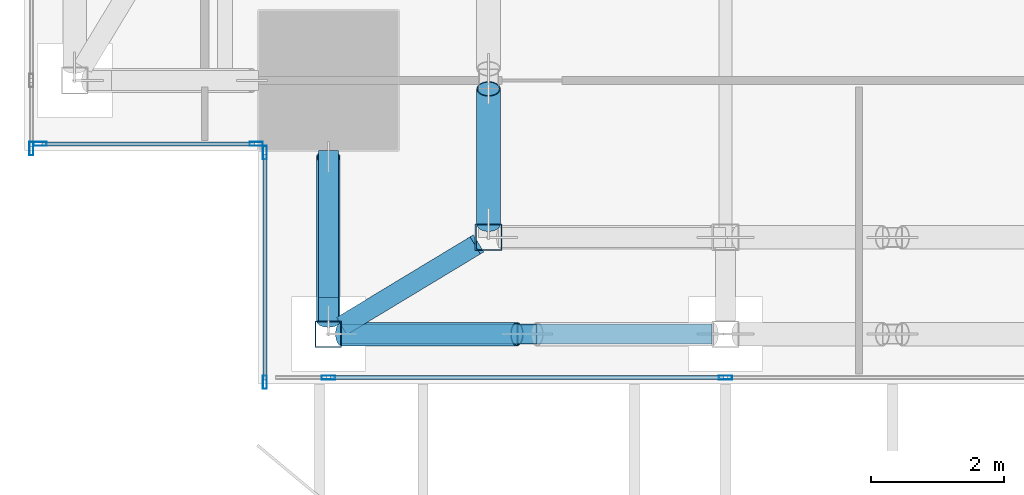
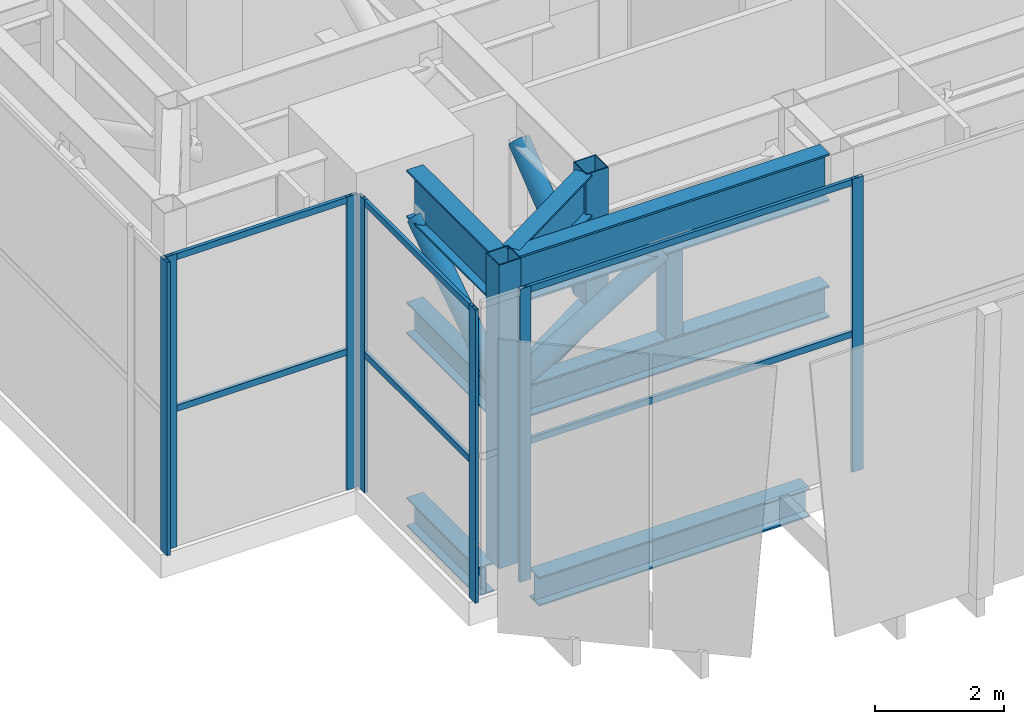
# One storey, part 2 of 47: 23 members, 4 beams, 4 elements without a shape of their own.
"""IFC4 building model written with IfcOpenShell, lengths in metres."""

import ifcopenshell
import ifcopenshell.guid

model = None  # the IFC model being written
_history = None  # IfcOwnerHistory: only IFC2X3 demands one
_inside = {}  # id of a spatial element -> (the spatial element, [elements in it])
_under = {}  # id of a project, library or spatial element -> (it, [spatial elements below it])
_declared = {}  # id of a project -> (the project, [libraries it declares])
_typed = {}  # id of a type object -> (the type object, [elements of that type])
_made_of = {}  # id of a material, layer set ... -> (it, [elements and type objects made of it])


def new_model(schema):
    """Start an empty IFC model of exactly this schema.

    Asked for "IFC4X3", IfcOpenShell would pick the latest addendum, in which some entities
    have other attributes; the version numbers below select the first issue.
    IFC2X3 requires an IfcOwnerHistory on every rooted entity: one is made here for all.
    """
    global model, _history
    if schema == "IFC4X3":
        model = ifcopenshell.file(schema_version=(4, 3, 0, 0))
    else:
        model = ifcopenshell.file(schema=schema)
    _inside.clear()
    _under.clear()
    _declared.clear()
    _typed.clear()
    _made_of.clear()
    _history = None
    if model.schema == "IFC2X3":
        org = make("IfcOrganization", Name="unknown")
        user = make(
            "IfcPersonAndOrganization",
            ThePerson=make("IfcPerson", FamilyName="unknown"),
            TheOrganization=org,
        )
        app = make(
            "IfcApplication",
            ApplicationDeveloper=org,
            Version="unknown",
            ApplicationFullName="unknown",
            ApplicationIdentifier="unknown",
        )
        _history = make(
            "IfcOwnerHistory",
            OwningUser=user,
            OwningApplication=app,
            ChangeAction="ADDED",
            CreationDate=0,
        )
    return model


def make(cls, **values):
    """One entity of the class cls with the attributes given. An attribute that is None is left unset."""
    return model.create_entity(
        cls, **{name: value for name, value in values.items() if value is not None}
    )


def rooted(cls, **values):
    """An entity with a GlobalId (a new one), such as an element, a storey or a relation."""
    return make(cls, GlobalId=ifcopenshell.guid.new(), OwnerHistory=_history, **values)


def si_unit(unit_type, name, prefix=None):
    """IfcSIUnit, for example si_unit("LENGTHUNIT", "METRE", prefix="MILLI")."""
    return make("IfcSIUnit", UnitType=unit_type, Prefix=prefix, Name=name)


def assignment(units):
    """IfcUnitAssignment: the units of a project."""
    return None if units is None else make("IfcUnitAssignment", Units=units)


def point(xyz):
    """IfcCartesianPoint."""
    return None if xyz is None else make("IfcCartesianPoint", Coordinates=xyz)


def direction(xyz):
    """IfcDirection."""
    return None if xyz is None else make("IfcDirection", DirectionRatios=xyz)


def frame(location, z_axis=None, x_axis=None):
    """IfcAxis2Placement3D, a coordinate frame: its origin and axes. An axis left out is left unset."""
    return make(
        "IfcAxis2Placement3D",
        Location=point(location),
        Axis=direction(z_axis),
        RefDirection=direction(x_axis),
    )


def frame_2d(location, x_axis=None):
    """IfcAxis2Placement2D, a coordinate frame in the plane: its origin and x axis."""
    return make(
        "IfcAxis2Placement2D", Location=point(location), RefDirection=direction(x_axis)
    )


def origin():
    """The frame at (0, 0, 0) with its axes left unset."""
    return frame((0.0, 0.0, 0.0))


def origin_2d():
    """The frame at (0, 0) in the plane with its x axis left unset."""
    return frame_2d((0.0, 0.0))


def place(relative_to, where):
    """IfcLocalPlacement: puts the frame where relative to a parent placement (None: the world)."""
    return make(
        "IfcLocalPlacement", PlacementRelTo=relative_to, RelativePlacement=where
    )


def context(
    kind, dimensions, precision=None, world=None, true_north=None, identifier=None
):
    """IfcGeometricRepresentationContext, for example the 3D "Model" context."""
    return make(
        "IfcGeometricRepresentationContext",
        ContextIdentifier=identifier,
        ContextType=kind,
        CoordinateSpaceDimension=dimensions,
        Precision=precision,
        WorldCoordinateSystem=world,
        TrueNorth=true_north,
    )


def subcontext(parent, identifier, kind, view, scale=None):
    """IfcGeometricRepresentationSubContext, for example "Body" below "Model"."""
    return make(
        "IfcGeometricRepresentationSubContext",
        ContextIdentifier=identifier,
        ContextType=kind,
        ParentContext=parent,
        TargetScale=scale,
        TargetView=view,
    )


def project(units=None, contexts=None):
    """IfcProject with its units and contexts."""
    return rooted(
        "IfcProject",
        Name="project",
        RepresentationContexts=contexts,
        UnitsInContext=assignment(units),
    )


def spatial(cls, under=None, at=None, **own):
    """A site, building, storey or space (cls), placed at a placement, below another one or the project."""
    s = rooted(cls, ObjectPlacement=at, **own)
    if under is not None:
        _under.setdefault(under.id(), (under, []))[1].append(s)
    return s


def profile(cls, at=None, kind="AREA", **sizes):
    """A parametric profile (cls). Its sizes go by their IFC names, for example OverallWidth=200.0."""
    return make(cls, ProfileType=kind, Position=at, **sizes)


def hollow_rectangle(**sizes):
    """IfcRectangleHollowProfileDef."""
    return profile("IfcRectangleHollowProfileDef", **sizes)


def hollow_circle(**sizes):
    """IfcCircleHollowProfileDef."""
    return profile("IfcCircleHollowProfileDef", **sizes)


def i_section(**sizes):
    """IfcIShapeProfileDef."""
    return profile("IfcIShapeProfileDef", **sizes)


def extrude(swept, where, along, depth):
    """IfcExtrudedAreaSolid: the profile swept, set in the frame where, extruded along a direction by depth."""
    return make(
        "IfcExtrudedAreaSolid",
        SweptArea=swept,
        Position=where,
        ExtrudedDirection=direction(along),
        Depth=depth,
    )


def shape(context_of_items, identifier, shape_type, items):
    """IfcShapeRepresentation: the items that make up one representation, for example the "Body"."""
    return make(
        "IfcShapeRepresentation",
        ContextOfItems=context_of_items,
        RepresentationIdentifier=identifier,
        RepresentationType=shape_type,
        Items=items,
    )


def source(mapping_origin, context_of_items, identifier, shape_type, items):
    """IfcRepresentationMap: a shape defined once, which mapped items show again and again."""
    return make(
        "IfcRepresentationMap",
        MappingOrigin=mapping_origin,
        MappedRepresentation=shape(context_of_items, identifier, shape_type, items),
    )


def transform(
    local_origin,
    x_axis=None,
    y_axis=None,
    z_axis=None,
    scale=None,
    scale2=None,
    scale3=None,
    uniform=True,
):
    """IfcCartesianTransformationOperator3D, or its non-uniform kind. x_axis, y_axis, z_axis: its Axis1, 2, 3."""
    if uniform:
        return make(
            "IfcCartesianTransformationOperator3D",
            Axis1=direction(x_axis),
            Axis2=direction(y_axis),
            LocalOrigin=point(local_origin),
            Scale=scale,
            Axis3=direction(z_axis),
        )
    return make(
        "IfcCartesianTransformationOperator3DnonUniform",
        Axis1=direction(x_axis),
        Axis2=direction(y_axis),
        LocalOrigin=point(local_origin),
        Scale=scale,
        Axis3=direction(z_axis),
        Scale2=scale2,
        Scale3=scale3,
    )


def mapped(mapping_source, mapping_target):
    """IfcMappedItem: shows the shape of a source again, moved by a transform."""
    return make(
        "IfcMappedItem", MappingSource=mapping_source, MappingTarget=mapping_target
    )


def material(Name=None, Category=None):
    """IfcMaterial."""
    return make("IfcMaterial", Name=Name, Category=Category)


def material_profile(
    of_material, cross_section, Name=None, Category=None, Priority=None
):
    """IfcMaterialProfile: a cross section and its material."""
    return make(
        "IfcMaterialProfile",
        Name=Name,
        Material=of_material,
        Profile=cross_section,
        Priority=Priority,
        Category=Category,
    )


def profile_set(profiles, Name=None, composite=None):
    """IfcMaterialProfileSet."""
    return make(
        "IfcMaterialProfileSet",
        Name=Name,
        MaterialProfiles=profiles,
        CompositeProfile=composite,
    )


def made_of(thing, what):
    """Note that an element or type object is made of a material, layer set ...; save() writes the relation."""
    if what is not None:
        _made_of.setdefault(what.id(), (what, []))[1].append(thing)
    return thing


def type_object(cls, material=None, **own):
    """A type object (cls), such as IfcWallType, which elements share."""
    return made_of(rooted(cls, **own), material)


def element(
    cls,
    number,
    at=None,
    inside=None,
    cuts=None,
    type_object=None,
    material=None,
    context=None,
    identifier="Body",
    shape_type=None,
    held_by="IfcProductDefinitionShape",
    body=None,
    shapes=None,
    **own,
):
    """One element of the class cls, such as IfcWall. Its Tag is "e" and its number.

    at: its placement. inside: the storey or other place that contains it. cuts: it is an
    opening in that element (IfcRelVoidsElement). A single representation is given by context,
    identifier, shape_type and body (its items); several are given by shapes. held_by: the class
    of the entity that holds the representations. save() writes the other relations.
    """
    e = rooted(cls, Tag="e%d" % number, ObjectPlacement=at, **own)
    if body is not None:
        shapes = [shape(context, identifier, shape_type, body)]
    if shapes is not None:
        e.Representation = make(held_by, Representations=shapes)
    if inside is not None:
        _inside.setdefault(inside.id(), (inside, []))[1].append(e)
    if cuts is not None:
        rooted(
            "IfcRelVoidsElement", RelatingBuildingElement=cuts, RelatedOpeningElement=e
        )
    if type_object is not None:
        _typed.setdefault(type_object.id(), (type_object, []))[1].append(e)
    return made_of(e, material)


def aggregate(whole, parts):
    """IfcRelAggregates: a whole, such as a stair, and the parts it consists of."""
    return rooted("IfcRelAggregates", RelatingObject=whole, RelatedObjects=parts)


def save(model, path):
    """Write the relations noted so far, then the file.

    IfcRelAggregates (storeys below a building ...), IfcRelContainedInSpatialStructure (elements
    in a storey), IfcRelDefinesByType, IfcRelAssociatesMaterial and IfcRelDeclares: one each for
    every whole, place, type object, material and project.
    """
    for whole, parts in _under.values():
        aggregate(whole, parts)
    for where, things in _inside.values():
        rooted(
            "IfcRelContainedInSpatialStructure",
            RelatedElements=things,
            RelatingStructure=where,
        )
    for kind, things in _typed.values():
        rooted("IfcRelDefinesByType", RelatedObjects=things, RelatingType=kind)
    for what, things in _made_of.values():
        rooted("IfcRelAssociatesMaterial", RelatedObjects=things, RelatingMaterial=what)
    for by, libraries in _declared.values():
        rooted("IfcRelDeclares", RelatingContext=by, RelatedDefinitions=libraries)
    model.write(path)


model = new_model("IFC4")

# Units and contexts
model_context = context("Model", 3, precision=1e-05, world=origin(), true_north=direction((0.0, 1.0)))
body_context = subcontext(model_context, "Body", "Model", "MODEL_VIEW")
ifc_project = project(units=[si_unit("LENGTHUNIT", "METRE"), si_unit("AREAUNIT", "SQUARE_METRE"), si_unit("VOLUMEUNIT", "CUBIC_METRE"), si_unit("PLANEANGLEUNIT", "RADIAN"), si_unit("MASSUNIT", "GRAM", prefix="KILO")], contexts=[model_context])

# Site, building, storey
site_placement = place(None, origin())
site = spatial("IfcSite", under=ifc_project, at=site_placement, CompositionType="ELEMENT")
building_placement = place(site_placement, origin())
building = spatial("IfcBuilding", under=site, at=building_placement, Name="Khomas Fold Tower", CompositionType="ELEMENT")
storey_placement = place(building_placement, frame((0.0, 0.0, 158.699951171875)))
storey = spatial("IfcBuildingStorey", under=building, at=storey_placement, Name="L34", CompositionType="ELEMENT", Elevation=158.699951171875)

# Beams
ifc_material_1 = material(Name="Steel S355", Category="steel")
ifc_material_profile_1 = material_profile(ifc_material_1, i_section(OverallWidth=0.300048828125, OverallDepth=0.550048828125, WebThickness=0.014892578125, FlangeThickness=0.029052734375, at=origin_2d()), Name="HE 550 B")
ifc_profile_set_1 = profile_set([ifc_material_profile_1], Name="Steel S355")
beam_type_1 = type_object("IfcBeamType", Name="HE 550 B spandrel SB2", PredefinedType="SPANDREL", material=ifc_profile_set_1)
shared_shape_1 = source(origin(), body_context, "Body", "SweptSolid", [
    extrude(i_section(OverallWidth=0.300048828125, OverallDepth=0.550048828125, WebThickness=0.014892578125, FlangeThickness=0.029052734375, at=origin_2d()), origin(), (0.0, 0.0, 1.0), 4.849853515625),
])
beam_1_placement = place(storey_placement, frame((6.60009765625, 2.25, -0.724853515625), z_axis=(1.0, 0.0, 0.0), x_axis=(0.0, 1.0, 0.0)))
element("IfcBeam", 1, at=beam_1_placement, inside=storey, type_object=beam_type_1, Name="SB2", PredefinedType="SPANDREL", context=body_context, shape_type="MappedRepresentation", body=[
    mapped(shared_shape_1, transform((0.0, 0.0, 0.0))),
])
shared_shape_2 = source(origin(), body_context, "Body", "SweptSolid", [
    extrude(i_section(OverallWidth=0.300048828125, OverallDepth=0.550048828125, WebThickness=0.014892578125, FlangeThickness=0.029052734375, at=origin_2d()), origin(), (0.0, 0.0, 1.0), 2.199951171875),
])
beam_2_placement = place(storey_placement, frame((6.050048828125, 2.800048828125, -0.724853515625), z_axis=(0.0, 1.0, 0.0), x_axis=(-1.0, 0.0, 0.0)))
element("IfcBeam", 2, at=beam_2_placement, inside=storey, type_object=beam_type_1, Name="SB2", PredefinedType="SPANDREL", context=body_context, shape_type="MappedRepresentation", body=[
    mapped(shared_shape_2, transform((0.0, 0.0, 0.0))),
])

# Members
ifc_material_2 = material(Name="Steel S460M", Category="steel")
ifc_material_profile_2 = material_profile(ifc_material_2, i_section(OverallWidth=0.300048828125, OverallDepth=0.89990234375, WebThickness=0.0185546875, FlangeThickness=0.034912109375, at=origin_2d()), Name="HE 900 B")
ifc_profile_set_2 = profile_set([ifc_material_profile_2], Name="Steel S460M")
member_type_1 = type_object("IfcMemberType", Name="BELT TRUSS 2 TOP CHORD HE 900 B", PredefinedType="CHORD", material=ifc_profile_set_2)
shared_shape_3 = source(origin(), body_context, "Body", "SweptSolid", [
    extrude(i_section(OverallWidth=0.300048828125, OverallDepth=0.89990234375, WebThickness=0.0185546875, FlangeThickness=0.034912109375, at=origin_2d()), origin(), (0.0, 0.0, 1.0), 5.550048828125),
])
member_1_placement = place(storey_placement, frame((6.25, 2.25, 5.300048828125), z_axis=(1.0, 0.0, 0.0), x_axis=(0.0, 1.0, 0.0)))
element("IfcMember", 3, at=member_1_placement, inside=storey, type_object=member_type_1, Name="BT2-CT", PredefinedType="CHORD", context=body_context, shape_type="MappedRepresentation", body=[
    mapped(shared_shape_3, transform((0.0, 0.0, 0.0))),
])
ifc_material_3 = material(Name="Steel S355", Category="steel")
ifc_material_profile_3 = material_profile(ifc_material_3, i_section(OverallWidth=0.300048828125, OverallDepth=0.60009765625, WebThickness=0.015380859375, FlangeThickness=0.030029296875, at=origin_2d()), Name="HE 600 B")
ifc_profile_set_3 = profile_set([ifc_material_profile_3], Name="Steel S355")
member_type_2 = type_object("IfcMemberType", Name="BELT TRUSS 2 BOTTOM CHORD SHORT HE 600 B", PredefinedType="CHORD", material=ifc_profile_set_3)
shared_shape_4 = source(origin(), body_context, "Body", "SweptSolid", [
    extrude(i_section(OverallWidth=0.300048828125, OverallDepth=0.60009765625, WebThickness=0.015380859375, FlangeThickness=0.030029296875, at=origin_2d()), origin(), (0.0, 0.0, 1.0), 5.550048828125),
])
member_2_placement = place(storey_placement, frame((6.25, 2.25, 2.949951171875), z_axis=(1.0, 0.0, 0.0), x_axis=(0.0, 1.0, 0.0)))
element("IfcMember", 4, at=member_2_placement, inside=storey, type_object=member_type_2, Name="BT2-CBS", PredefinedType="CHORD", context=body_context, shape_type="MappedRepresentation", body=[
    mapped(shared_shape_4, transform((0.0, 0.0, 0.0))),
])
ifc_material_4 = material(Name="Steel S355", Category="steel")
ifc_material_profile_4 = material_profile(ifc_material_4, hollow_circle(Radius=0.177734375, WallThickness=0.01611328125, at=origin_2d()), Name="CHS 355.6x16")
ifc_profile_set_4 = profile_set([ifc_material_profile_4], Name="Steel S355")
member_type_3 = type_object("IfcMemberType", Name="BELT TRUSS 2 DIAGONAL CHS 355.6x16", PredefinedType="BRACE", material=ifc_profile_set_4)
shared_shape_5 = source(origin(), body_context, "Body", "SweptSolid", [
    extrude(hollow_circle(Radius=0.177734375, WallThickness=0.01611328125, at=origin_2d()), origin(), (0.0, 0.0, 1.0), 3.079345703125),
])
member_3_placement = place(storey_placement, frame((6.25, 2.25, 3.2451171875), z_axis=(0.852457646083, 0.0, 0.522796290762), x_axis=(0.0, 1.0, 0.0)))
element("IfcMember", 5, at=member_3_placement, inside=storey, type_object=member_type_3, Name="BT2-D", PredefinedType="BRACE", context=body_context, shape_type="MappedRepresentation", body=[
    mapped(shared_shape_5, transform((0.0, 0.0, 0.0))),
])
ifc_material_5 = material(Name="Steel S355", Category="steel")
ifc_material_profile_5 = material_profile(ifc_material_5, hollow_rectangle(XDim=0.300048828125, YDim=0.300048828125, WallThickness=0.012451171875, at=origin_2d()), Name="SHS 300x300x12.5")
ifc_profile_set_5 = profile_set([ifc_material_profile_5], Name="Steel S355")
member_type_4 = type_object("IfcMemberType", Name="BELT TRUSS 2 MID POST SHS 300x300x12.5", PredefinedType="POST", material=ifc_profile_set_5)
shared_shape_6 = source(origin(), body_context, "Body", "SweptSolid", [
    extrude(hollow_rectangle(XDim=0.300048828125, YDim=0.300048828125, WallThickness=0.012451171875, at=origin_2d()), origin(), (0.0, 0.0, 1.0), 1.60009765625),
])
member_4_placement = place(storey_placement, frame((9.02490234375, 2.25, 3.25), z_axis=(0.0, 0.0, 1.0), x_axis=(1.0, 0.0, 0.0)))
element("IfcMember", 6, at=member_4_placement, inside=storey, type_object=member_type_4, Name="BT2-M", PredefinedType="POST", context=body_context, shape_type="MappedRepresentation", body=[
    mapped(shared_shape_6, transform((0.0, 0.0, 0.0))),
])
ifc_material_6 = material(Name="Steel S460M", Category="steel")
ifc_material_profile_6 = material_profile(ifc_material_6, i_section(OverallWidth=0.300048828125, OverallDepth=0.89990234375, WebThickness=0.0185546875, FlangeThickness=0.034912109375, at=origin_2d()), Name="HE 900 B")
ifc_profile_set_6 = profile_set([ifc_material_profile_6], Name="Steel S460M")
member_type_5 = type_object("IfcMemberType", Name="BELT TRUSS 2 TOP CHORD SHORTER HE 900 B", PredefinedType="CHORD", material=ifc_profile_set_6)
shared_shape_7 = source(origin(), body_context, "Body", "SweptSolid", [
    extrude(i_section(OverallWidth=0.300048828125, OverallDepth=0.89990234375, WebThickness=0.0185546875, FlangeThickness=0.034912109375, at=origin_2d()), origin(), (0.0, 0.0, 1.0), 2.550048828125),
])
member_5_placement = place(storey_placement, frame((6.050048828125, 2.449951171875, 5.300048828125), z_axis=(0.0, 1.0, 0.0), x_axis=(-1.0, 0.0, 0.0)))
element("IfcMember", 7, at=member_5_placement, inside=storey, type_object=member_type_5, Name="BT2-CTSS", PredefinedType="CHORD", context=body_context, shape_type="MappedRepresentation", body=[
    mapped(shared_shape_7, transform((0.0, 0.0, 0.0))),
])
ifc_material_7 = material(Name="Steel S355", Category="steel")
ifc_material_profile_7 = material_profile(ifc_material_7, i_section(OverallWidth=0.300048828125, OverallDepth=0.60009765625, WebThickness=0.015380859375, FlangeThickness=0.030029296875, at=origin_2d()), Name="HE 600 B")
ifc_profile_set_7 = profile_set([ifc_material_profile_7], Name="Steel S355")
member_type_6 = type_object("IfcMemberType", Name="BELT TRUSS 2 BOTTOM CHORD SHORTER HE 600 B", PredefinedType="CHORD", material=ifc_profile_set_7)
shared_shape_8 = source(origin(), body_context, "Body", "SweptSolid", [
    extrude(i_section(OverallWidth=0.300048828125, OverallDepth=0.60009765625, WebThickness=0.015380859375, FlangeThickness=0.030029296875, at=origin_2d()), origin(), (0.0, 0.0, 1.0), 2.550048828125),
])
member_6_placement = place(storey_placement, frame((6.050048828125, 2.449951171875, 2.949951171875), z_axis=(0.0, 1.0, 0.0), x_axis=(-1.0, 0.0, 0.0)))
element("IfcMember", 8, at=member_6_placement, inside=storey, type_object=member_type_6, Name="BT2-CBSS", PredefinedType="CHORD", context=body_context, shape_type="MappedRepresentation", body=[
    mapped(shared_shape_8, transform((0.0, 0.0, 0.0))),
])
shared_shape_9 = source(origin(), body_context, "Body", "SweptSolid", [
    extrude(hollow_circle(Radius=0.177734375, WallThickness=0.01611328125, at=origin_2d()), origin(), (0.0, 0.0, 1.0), 2.936279296875),
])
member_7_placement = place(storey_placement, frame((6.050048828125, 2.449951171875, 3.2451171875), z_axis=(0.0, 0.836298117849, 0.548274984002), x_axis=(-1.0, 0.0, 0.0)))
element("IfcMember", 9, at=member_7_placement, inside=storey, type_object=member_type_3, Name="BT2-D", PredefinedType="BRACE", context=body_context, shape_type="MappedRepresentation", body=[
    mapped(shared_shape_9, transform((0.0, 0.0, 0.0))),
])
shared_shape_10 = source(origin(), body_context, "Body", "SweptSolid", [
    extrude(hollow_circle(Radius=0.177734375, WallThickness=0.01611328125, at=origin_2d()), origin(), (0.0, 0.0, 1.0), 2.587158203125),
])
member_8_placement = place(storey_placement, frame((8.449951171875, 3.89990234375, 3.2451171875), z_axis=(0.0, 0.782798501994, 0.622275264876), x_axis=(-1.0, 0.0, 0.0)))
element("IfcMember", 10, at=member_8_placement, inside=storey, type_object=member_type_3, Name="BT2-D", PredefinedType="BRACE", context=body_context, shape_type="MappedRepresentation", body=[
    mapped(shared_shape_10, transform((0.0, 0.0, 0.0))),
])
ifc_material_8 = material(Name="Steel S460M", Category="steel")
ifc_material_profile_8 = material_profile(ifc_material_8, hollow_rectangle(XDim=0.39990234375, YDim=0.39990234375, WallThickness=0.01611328125, at=origin_2d()), Name="SHS 400x400x16")
ifc_profile_set_8 = profile_set([ifc_material_profile_8], Name="Steel S460M")
member_type_7 = type_object("IfcMemberType", Name="BELT TRUSS 2 COLUMN POST SHS 400x400x16", PredefinedType="POST", material=ifc_profile_set_8)
shared_shape_11 = source(origin(), body_context, "Body", "SweptSolid", [
    extrude(hollow_rectangle(XDim=0.39990234375, YDim=0.39990234375, WallThickness=0.01611328125, at=origin_2d()), origin(), (0.0, 0.0, 1.0), 5.75),
])
member_9_placement = place(storey_placement, frame((6.050048828125, 2.25, 0.0), z_axis=(0.0, 0.0, 1.0), x_axis=(1.0, 0.0, 0.0)))
element("IfcMember", 11, at=member_9_placement, inside=storey, type_object=member_type_7, Name="BT2-P", PredefinedType="POST", context=body_context, shape_type="MappedRepresentation", body=[
    mapped(shared_shape_11, transform((0.0, 0.0, 0.0))),
])
ifc_material_9 = material(Name="Steel S460M", Category="steel")
ifc_material_profile_9 = material_profile(ifc_material_9, hollow_rectangle(XDim=0.39990234375, YDim=0.39990234375, WallThickness=0.01611328125, at=origin_2d()), Name="SHS 400x400x16")
ifc_profile_set_9 = profile_set([ifc_material_profile_9], Name="Steel S460M")
member_type_8 = type_object("IfcMemberType", Name="BELT TRUSS 2 COLUMN POST SHORT SHS 400x400x16", PredefinedType="POST", material=ifc_profile_set_9)
shared_shape_12 = source(origin(), body_context, "Body", "SweptSolid", [
    extrude(hollow_rectangle(XDim=0.39990234375, YDim=0.39990234375, WallThickness=0.01611328125, at=origin_2d()), origin(), (0.0, 0.0, 1.0), 2.5),
])
member_10_placement = place(storey_placement, frame((8.449951171875, 3.699951171875, 3.25), z_axis=(0.0, 0.0, 1.0), x_axis=(1.0, 0.0, 0.0)))
element("IfcMember", 12, at=member_10_placement, inside=storey, type_object=member_type_8, Name="BT2-PS", PredefinedType="POST", context=body_context, shape_type="MappedRepresentation", body=[
    mapped(shared_shape_12, transform((0.0, 0.0, 0.0))),
])

# Beams
ifc_material_10 = material(Name="Steel S460M", Category="steel")
ifc_material_profile_10 = material_profile(ifc_material_10, i_section(OverallWidth=0.300048828125, OverallDepth=0.800048828125, WebThickness=0.017578125, FlangeThickness=0.032958984375, at=origin_2d()), Name="HE 800 B")
ifc_profile_set_10 = profile_set([ifc_material_profile_10], Name="Steel S460M")
beam_type_2 = type_object("IfcBeamType", Name="BELT TRUSS 2 TOP TRANSFER STRUT HE 800 B", PredefinedType="BEAM", material=ifc_profile_set_10)
shared_shape_13 = source(origin(), body_context, "Body", "SweptSolid", [
    extrude(i_section(OverallWidth=0.300048828125, OverallDepth=0.800048828125, WebThickness=0.017578125, FlangeThickness=0.032958984375, at=origin_2d()), origin(), (0.0, 0.0, 1.0), 2.336669921875),
])
beam_3_placement = place(storey_placement, frame((8.25, 3.5791015625, 5.35009765625), z_axis=(-0.855930956657, -0.517090125061, 0.0), x_axis=(0.517090125061, -0.855930956657, 0.0)))
element("IfcBeam", 13, at=beam_3_placement, inside=storey, type_object=beam_type_2, Name="BT2-STD", PredefinedType="BEAM", context=body_context, shape_type="MappedRepresentation", body=[
    mapped(shared_shape_13, transform((0.0, 0.0, 0.0))),
])
ifc_material_11 = material(Name="Steel S355", Category="steel")
ifc_material_profile_11 = material_profile(ifc_material_11, i_section(OverallWidth=0.300048828125, OverallDepth=0.39990234375, WebThickness=0.013427734375, FlangeThickness=0.02392578125, at=origin_2d()), Name="HE 400 B")
ifc_profile_set_11 = profile_set([ifc_material_profile_11], Name="Steel S355")
beam_type_3 = type_object("IfcBeamType", Name="BELT TRUSS 2 BOTTOM STRUT LONG HE 400 B", PredefinedType="BEAM", material=ifc_profile_set_11)
shared_shape_14 = source(origin(), body_context, "Body", "SweptSolid", [
    extrude(i_section(OverallWidth=0.300048828125, OverallDepth=0.39990234375, WebThickness=0.013427734375, FlangeThickness=0.02392578125, at=origin_2d()), origin(), (0.0, 0.0, 1.0), 2.39501953125),
])
beam_4_placement = place(storey_placement, frame((8.300048828125, 3.609375, 3.050048828125), z_axis=(-0.855924001063, -0.51710163837, 0.0), x_axis=(0.51710163837, -0.855924001063, 0.0)))
element("IfcBeam", 14, at=beam_4_placement, inside=storey, type_object=beam_type_3, Name="BT2-SBL", PredefinedType="BEAM", context=body_context, shape_type="MappedRepresentation", body=[
    mapped(shared_shape_14, transform((0.0, 0.0, 0.0))),
])

# Curtain wall, members
ifc_material_12 = material(Name="Aluminium framed double glazing", Category="aluminium")
curtain_wall_type = type_object("IfcCurtainWallType", Name="SK-Unitised clear-glass wall, growing floors CW1", PredefinedType="NOTDEFINED", material=ifc_material_12)
curtain_wall_1_placement = place(storey_placement, origin())
curtain_wall_1 = element("IfcCurtainWall", 15, at=curtain_wall_1_placement, inside=storey, type_object=curtain_wall_type, Name="CW1 run L34 01-0", PredefinedType="NOTDEFINED")
ifc_material_13 = material(Name="Aluminium", Category="aluminium")
ifc_material_profile_12 = material_profile(ifc_material_13, hollow_rectangle(XDim=0.06005859375, YDim=0.1201171875, WallThickness=0.00390625, at=origin_2d()), Name="SK-Unitised clear-glass wall, growing floors transom CW1-T")
ifc_profile_set_12 = profile_set([ifc_material_profile_12], Name="Aluminium")
member_type_9 = type_object("IfcMemberType", Name="SK-Unitised clear-glass wall, growing floors transom CW1-T", PredefinedType="USERDEFINED", material=ifc_profile_set_12)
shared_shape_15 = source(origin(), body_context, "Body", "SweptSolid", [
    extrude(hollow_rectangle(XDim=0.06005859375, YDim=0.1201171875, WallThickness=0.00390625, at=origin_2d()), origin(), (0.0, 0.0, 1.0), 5.889892578125),
])
member_11_placement = place(storey_placement, frame((6.080078125, 1.60009765625, 5.489990234375), z_axis=(1.0, 0.0, 0.0), x_axis=(0.0, 1.0, 0.0)))
member_11 = element("IfcMember", 16, at=member_11_placement, type_object=member_type_9, Name="CW1 transom 2", ObjectType="TRANSOM", PredefinedType="USERDEFINED", context=body_context, shape_type="MappedRepresentation", body=[
    mapped(shared_shape_15, transform((0.0, 0.0, 0.0))),
])
member_12_placement = place(storey_placement, frame((6.080078125, 1.60009765625, 2.6171875), z_axis=(1.0, 0.0, 0.0), x_axis=(0.0, 1.0, 0.0)))
member_12 = element("IfcMember", 17, at=member_12_placement, type_object=member_type_9, Name="CW1 transom 2 (truss floor)", ObjectType="TRANSOM", PredefinedType="USERDEFINED", context=body_context, shape_type="MappedRepresentation", body=[
    mapped(shared_shape_15, transform((0.0, 0.0, 0.0))),
])

curtain_wall_2_placement = place(storey_placement, origin())
curtain_wall_2 = element("IfcCurtainWall", 18, at=curtain_wall_2_placement, inside=storey, type_object=curtain_wall_type, Name="CW1 corner return L34 19", PredefinedType="NOTDEFINED")
shared_shape_16 = source(origin(), body_context, "Body", "SweptSolid", [
    extrude(hollow_rectangle(XDim=0.06005859375, YDim=0.1201171875, WallThickness=0.00390625, at=origin_2d()), origin(), (0.0, 0.0, 1.0), 3.179931640625),
])
member_13_placement = place(storey_placement, frame((1.760009765625, 5.10009765625, 5.489990234375), z_axis=(1.0, 0.0, 0.0), x_axis=(0.0, 1.0, 0.0)))
member_13 = element("IfcMember", 19, at=member_13_placement, type_object=member_type_9, Name="CW1 transom 1", ObjectType="TRANSOM", PredefinedType="USERDEFINED", context=body_context, shape_type="MappedRepresentation", body=[
    mapped(shared_shape_16, transform((0.0, 0.0, 0.0))),
])
member_14_placement = place(storey_placement, frame((1.760009765625, 5.10009765625, 2.6171875), z_axis=(1.0, 0.0, 0.0), x_axis=(0.0, 1.0, 0.0)))
member_14 = element("IfcMember", 20, at=member_14_placement, type_object=member_type_9, Name="CW1 transom 1 (truss floor)", ObjectType="TRANSOM", PredefinedType="USERDEFINED", context=body_context, shape_type="MappedRepresentation", body=[
    mapped(shared_shape_16, transform((0.0, 0.0, 0.0))),
])

curtain_wall_3_placement = place(storey_placement, origin())
curtain_wall_3 = element("IfcCurtainWall", 21, at=curtain_wall_3_placement, inside=storey, type_object=curtain_wall_type, Name="CW1 corner return L34 00", PredefinedType="NOTDEFINED")
shared_shape_17 = source(origin(), body_context, "Body", "SweptSolid", [
    extrude(hollow_rectangle(XDim=0.06005859375, YDim=0.1201171875, WallThickness=0.00390625, at=origin_2d()), origin(), (0.0, 0.0, 1.0), 3.3798828125),
])
member_15_placement = place(storey_placement, frame((5.10009765625, 4.93994140625, 5.489990234375), z_axis=(0.0, -1.0, 0.0), x_axis=(1.0, 0.0, 0.0)))
member_15 = element("IfcMember", 22, at=member_15_placement, type_object=member_type_9, Name="CW1 transom 1", ObjectType="TRANSOM", PredefinedType="USERDEFINED", context=body_context, shape_type="MappedRepresentation", body=[
    mapped(shared_shape_17, transform((0.0, 0.0, 0.0))),
])
member_16_placement = place(storey_placement, frame((5.10009765625, 4.93994140625, 2.6171875), z_axis=(0.0, -1.0, 0.0), x_axis=(1.0, 0.0, 0.0)))
member_16 = element("IfcMember", 23, at=member_16_placement, type_object=member_type_9, Name="CW1 transom 1 (truss floor)", ObjectType="TRANSOM", PredefinedType="USERDEFINED", context=body_context, shape_type="MappedRepresentation", body=[
    mapped(shared_shape_17, transform((0.0, 0.0, 0.0))),
])
ifc_material_14 = material(Name="Aluminium", Category="aluminium")
ifc_material_profile_13 = material_profile(ifc_material_14, hollow_rectangle(XDim=0.06005859375, YDim=0.199951171875, WallThickness=0.00390625, at=origin_2d()), Name="SK-Unitised clear-glass wall, growing floors mullion CW1-M")
ifc_profile_set_13 = profile_set([ifc_material_profile_13], Name="Aluminium")
member_type_10 = type_object("IfcMemberType", Name="SK-Unitised clear-glass wall, growing floors mullion CW1-M", PredefinedType="MULLION", material=ifc_profile_set_13)
shared_shape_18 = source(origin(), body_context, "Body", "SweptSolid", [
    extrude(hollow_rectangle(XDim=0.06005859375, YDim=0.199951171875, WallThickness=0.00390625, at=origin_2d()), origin(), (0.0, 0.0, 1.0), 5.550048828125),
])
member_17_placement = place(storey_placement, frame((5.10009765625, 4.969970703125, 0.0), z_axis=(0.0, 0.0, 1.0), x_axis=(1.0, 0.0, 0.0)))
member_17 = element("IfcMember", 24, at=member_17_placement, type_object=member_type_10, Name="CW1 mullion 1", PredefinedType="MULLION", context=body_context, shape_type="MappedRepresentation", body=[
    mapped(shared_shape_18, transform((0.0, 0.0, 0.0))),
])
member_18_placement = place(storey_placement, frame((5.10009765625, 1.530029296875, 0.0), z_axis=(0.0, 0.0, 1.0), x_axis=(1.0, 0.0, 0.0)))
member_18 = element("IfcMember", 25, at=member_18_placement, type_object=member_type_10, Name="CW1 mullion 2", PredefinedType="MULLION", context=body_context, shape_type="MappedRepresentation", body=[
    mapped(shared_shape_18, transform((0.0, 0.0, 0.0))),
])
aggregate(curtain_wall_3, [member_17, member_18, member_15, member_16])

# Member
member_19_placement = place(storey_placement, frame((6.050048828125, 1.60009765625, 0.0), z_axis=(0.0, 0.0, 1.0), x_axis=(0.0, 1.0, 0.0)))
member_19 = element("IfcMember", 26, at=member_19_placement, type_object=member_type_10, Name="CW1 mullion 2", PredefinedType="MULLION", context=body_context, shape_type="MappedRepresentation", body=[
    mapped(shared_shape_18, transform((0.0, 0.0, 0.0))),
])

member_20_placement = place(storey_placement, frame((12.0, 1.60009765625, 0.0), z_axis=(0.0, 0.0, 1.0), x_axis=(0.0, 1.0, 0.0)))
member_20 = element("IfcMember", 27, at=member_20_placement, type_object=member_type_10, Name="CW1 mullion 3", PredefinedType="MULLION", context=body_context, shape_type="MappedRepresentation", body=[
    mapped(shared_shape_18, transform((0.0, 0.0, 0.0))),
])

aggregate(curtain_wall_1, [member_19, member_20, member_11, member_12])

# Curtain wall, member
curtain_wall_4_placement = place(storey_placement, origin())
curtain_wall_4 = element("IfcCurtainWall", 28, at=curtain_wall_4_placement, inside=storey, type_object=curtain_wall_type, Name="CW1 run L34 18-0", PredefinedType="NOTDEFINED")
member_21_placement = place(storey_placement, frame((1.60009765625, 5.030029296875, 0.0), z_axis=(0.0, 0.0, 1.0), x_axis=(1.0, 0.0, 0.0)))
member_21 = element("IfcMember", 29, at=member_21_placement, type_object=member_type_10, Name="CW1 mullion 9", PredefinedType="MULLION", context=body_context, shape_type="MappedRepresentation", body=[
    mapped(shared_shape_18, transform((0.0, 0.0, 0.0))),
])
aggregate(curtain_wall_4, [member_21])

# Member
member_22_placement = place(storey_placement, frame((1.72998046875, 5.10009765625, 0.0), z_axis=(0.0, 0.0, 1.0), x_axis=(0.0, 1.0, 0.0)))
member_22 = element("IfcMember", 30, at=member_22_placement, type_object=member_type_10, Name="CW1 mullion 1", PredefinedType="MULLION", context=body_context, shape_type="MappedRepresentation", body=[
    mapped(shared_shape_18, transform((0.0, 0.0, 0.0))),
])

member_23_placement = place(storey_placement, frame((4.969970703125, 5.10009765625, 0.0), z_axis=(0.0, 0.0, 1.0), x_axis=(0.0, 1.0, 0.0)))
member_23 = element("IfcMember", 31, at=member_23_placement, type_object=member_type_10, Name="CW1 mullion 2", PredefinedType="MULLION", context=body_context, shape_type="MappedRepresentation", body=[
    mapped(shared_shape_18, transform((0.0, 0.0, 0.0))),
])

aggregate(curtain_wall_2, [member_22, member_23, member_13, member_14])

save(model, "model.ifc")
